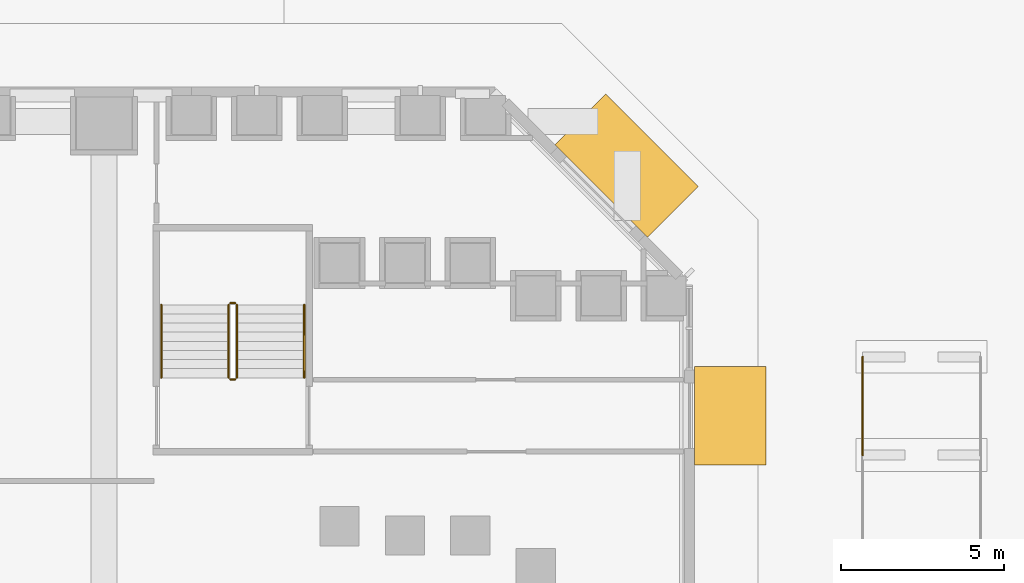
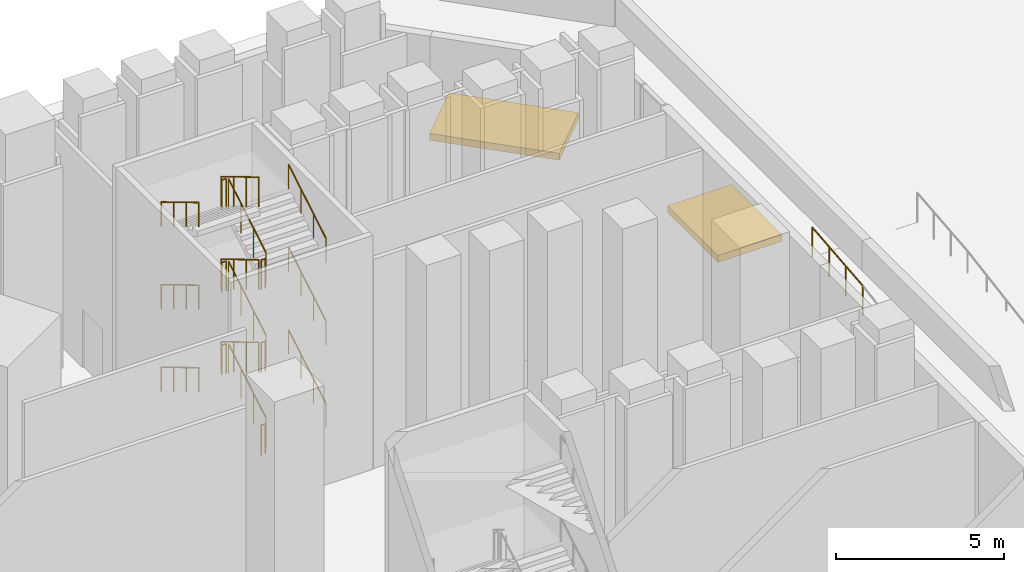
# One storey, part 50 of 51: 19 railings, 2 shading devices.
"""IFC4 building model written with IfcOpenShell, lengths in metres."""

from ifc_helpers import new_model, si_unit, direction, frame, origin, origin_2d, place, context, subcontext, project, spatial, rectangle, circle, extrude, material, layer, layer_set, type_object, element, save


model = new_model("IFC4")

# Units and contexts
model_context = context("Model", 3, precision=1e-05, world=origin(), true_north=direction((0.0, 1.0)))
body_context = subcontext(model_context, "Body", "Model", "MODEL_VIEW")
ifc_project = project(units=[si_unit("LENGTHUNIT", "METRE"), si_unit("AREAUNIT", "SQUARE_METRE"), si_unit("VOLUMEUNIT", "CUBIC_METRE"), si_unit("PLANEANGLEUNIT", "RADIAN"), si_unit("MASSUNIT", "GRAM", prefix="KILO")], contexts=[model_context])

# Site, building, storey
site_placement = place(None, origin())
site = spatial("IfcSite", under=ifc_project, at=site_placement, CompositionType="ELEMENT")
building_placement = place(site_placement, origin())
building = spatial("IfcBuilding", under=site, at=building_placement, Name="Calabash Gate Tower", CompositionType="ELEMENT")
storey_placement = place(building_placement, origin())
storey = spatial("IfcBuildingStorey", under=building, at=storey_placement, Name="L00", CompositionType="ELEMENT", Elevation=0.0)

# Shading devices
ifc_material_1 = material(Name="Steel framed canopy with laminated glass", Category="steel")
ifc_layer = layer(ifc_material_1, 0.25)
ifc_layer_set = layer_set([ifc_layer], Name="Entrance canopy 250")
shading_device_type = type_object("IfcShadingDeviceType", Name="Entrance canopy 250", PredefinedType="AWNING", material=ifc_layer_set)
shading_device_1_placement = place(storey_placement, frame((51.14990234375, 15.0, 3.60009765625), z_axis=(0.0, 0.0, 1.0), x_axis=(0.0, 1.0, 0.0)))
element("IfcShadingDevice", 1, at=shading_device_1_placement, inside=storey, type_object=shading_device_type, Name="Entrance canopy 15", PredefinedType="AWNING", context=body_context, shape_type="SweptSolid", body=[
    extrude(rectangle(XDim=3.0, YDim=2.199951171875, at=origin_2d()), origin(), (0.0, 0.0, 1.0), 0.25),
])
shading_device_2_placement = place(storey_placement, frame((47.982177734375, 22.644287109375, 3.60009765625), z_axis=(0.0, 0.0, 1.0), x_axis=(-0.707106781187, 0.707106781187, 0.0)))
element("IfcShadingDevice", 2, at=shading_device_2_placement, inside=storey, type_object=shading_device_type, Name="Entrance canopy 16", PredefinedType="AWNING", context=body_context, shape_type="SweptSolid", body=[
    extrude(rectangle(XDim=4.0, YDim=2.199951171875, at=origin_2d()), origin(), (0.0, 0.0, 1.0), 0.25),
])

# Railings
ifc_material_2 = material(Name="Galvanised steel balusters", Category="steel")
railing_type_1 = type_object("IfcRailingType", Name="Ramp guard RG1100", PredefinedType="GUARDRAIL", material=ifc_material_2)
railing_1_placement = place(storey_placement, frame((55.199951171875, 13.800048828125, -0.300048828125)))
element("IfcRailing", 3, at=railing_1_placement, inside=storey, type_object=railing_type_1, Name="Entry Ramp guard", PredefinedType="GUARDRAIL", context=body_context, shape_type="SweptSolid", body=[
    extrude(circle(Radius=0.02392578125, at=origin_2d()), frame((0.0, 0.0, 1.076171875), z_axis=(0.0, 0.995035586592, 0.0995197539), x_axis=(-1.0, 0.0, 0.0)), (0.0, 0.0, 1.0), 3.014892578125),
    extrude(circle(Radius=0.02099609375, at=origin_2d()), origin(), (0.0, 0.0, 1.0), 1.052001953125),
    extrude(circle(Radius=0.02099609375, at=origin_2d()), frame((0.0, 1.0, 0.10009765625)), (0.0, 0.0, 1.0), 1.052001953125),
    extrude(circle(Radius=0.02099609375, at=origin_2d()), frame((0.0, 2.0, 0.199951171875)), (0.0, 0.0, 1.0), 1.052001953125),
    extrude(circle(Radius=0.02099609375, at=origin_2d()), frame((0.0, 3.0, 0.300048828125)), (0.0, 0.0, 1.0), 1.052001953125),
])
ifc_material_3 = material(Name="Black powder-coated steel balusters", Category="steel")
railing_type_2 = type_object("IfcRailingType", Name="Stair guard RL1100", PredefinedType="GUARDRAIL", material=ifc_material_3)
railing_2_placement = place(storey_placement, frame((36.06005859375, 16.159912109375, 0.166748046875)))
element("IfcRailing", 4, at=railing_2_placement, inside=storey, type_object=railing_type_2, Name="L00 PS10 stair guard 1", PredefinedType="GUARDRAIL", context=body_context, shape_type="SweptSolid", body=[
    extrude(circle(Radius=0.02392578125, at=origin_2d()), frame((0.0, 0.0, 1.076171875), z_axis=(0.0, 0.8585185817, 0.512782453753), x_axis=(-1.0, 0.0, 0.0)), (0.0, 0.0, 1.0), 2.60009765625),
    extrude(circle(Radius=0.02099609375, at=origin_2d()), origin(), (0.0, 0.0, 1.0), 1.052001953125),
    extrude(circle(Radius=0.02099609375, at=origin_2d()), frame((0.0, 0.744140625, 0.4443359375)), (0.0, 0.0, 1.0), 1.052001953125),
    extrude(circle(Radius=0.02099609375, at=origin_2d()), frame((0.0, 1.488037109375, 0.888916015625)), (0.0, 0.0, 1.0), 1.052001953125),
    extrude(circle(Radius=0.02099609375, at=origin_2d()), frame((0.0, 2.232177734375, 1.333251953125)), (0.0, 0.0, 1.0), 1.052001953125),
])
railing_3_placement = place(storey_placement, frame((36.010009765625, 18.44189453125, 1.5)))
element("IfcRailing", 5, at=railing_3_placement, inside=storey, type_object=railing_type_2, Name="L00 PS10 stair guard 2", PredefinedType="GUARDRAIL", context=body_context, shape_type="SweptSolid", body=[
    extrude(circle(Radius=0.02392578125, at=origin_2d()), frame((0.0, 0.0, 1.076171875), z_axis=(-1.0, 0.0, 0.0), x_axis=(0.0, -1.0, 0.0)), (0.0, 0.0, 1.0), 0.14990234375),
    extrude(circle(Radius=0.02099609375, at=origin_2d()), origin(), (0.0, 0.0, 1.0), 1.052001953125),
    extrude(circle(Radius=0.02099609375, at=origin_2d()), frame((-0.14990234375, 0.0, 0.0)), (0.0, 0.0, 1.0), 1.052001953125),
])
railing_4_placement = place(storey_placement, frame((35.81005859375, 18.39208984375, 1.666748046875)))
element("IfcRailing", 6, at=railing_4_placement, inside=storey, type_object=railing_type_2, Name="L00 PS10 stair guard 3", PredefinedType="GUARDRAIL", context=body_context, shape_type="SweptSolid", body=[
    extrude(circle(Radius=0.02392578125, at=origin_2d()), frame((0.0, 0.0, 1.076171875), z_axis=(0.0, -0.8585185817, 0.512782453753), x_axis=(1.0, 0.0, 0.0)), (0.0, 0.0, 1.0), 2.60009765625),
    extrude(circle(Radius=0.02099609375, at=origin_2d()), origin(), (0.0, 0.0, 1.0), 1.052001953125),
    extrude(circle(Radius=0.02099609375, at=origin_2d()), frame((0.0, -0.744140625, 0.4443359375)), (0.0, 0.0, 1.0), 1.052001953125),
    extrude(circle(Radius=0.02099609375, at=origin_2d()), frame((0.0, -1.488037109375, 0.888916015625)), (0.0, 0.0, 1.0), 1.052001953125),
    extrude(circle(Radius=0.02099609375, at=origin_2d()), frame((0.0, -2.232177734375, 1.333251953125)), (0.0, 0.0, 1.0), 1.052001953125),
])
railing_5_placement = place(storey_placement, frame((36.010009765625, 16.110107421875, 3.0)))
element("IfcRailing", 7, at=railing_5_placement, inside=storey, type_object=railing_type_2, Name="L00 PS10 stair guard 4", PredefinedType="GUARDRAIL", context=body_context, shape_type="SweptSolid", body=[
    extrude(circle(Radius=0.02392578125, at=origin_2d()), frame((0.0, 0.0, 1.076171875), z_axis=(-1.0, 0.0, 0.0), x_axis=(0.0, -1.0, 0.0)), (0.0, 0.0, 1.0), 0.14990234375),
    extrude(circle(Radius=0.02099609375, at=origin_2d()), origin(), (0.0, 0.0, 1.0), 1.052001953125),
    extrude(circle(Radius=0.02099609375, at=origin_2d()), frame((-0.14990234375, 0.0, 0.0)), (0.0, 0.0, 1.0), 1.052001953125),
])
railing_6_placement = place(storey_placement, frame((36.06005859375, 16.159912109375, 3.166748046875)))
element("IfcRailing", 8, at=railing_6_placement, inside=storey, type_object=railing_type_2, Name="L00 PS10 stair guard 5", PredefinedType="GUARDRAIL", context=body_context, shape_type="SweptSolid", body=[
    extrude(circle(Radius=0.02392578125, at=origin_2d()), frame((0.0, 0.0, 1.076171875), z_axis=(0.0, 0.8585185817, 0.512782453753), x_axis=(-1.0, 0.0, 0.0)), (0.0, 0.0, 1.0), 2.60009765625),
    extrude(circle(Radius=0.02099609375, at=origin_2d()), origin(), (0.0, 0.0, 1.0), 1.052001953125),
    extrude(circle(Radius=0.02099609375, at=origin_2d()), frame((0.0, 0.744140625, 0.4443359375)), (0.0, 0.0, 1.0), 1.052001953125),
    extrude(circle(Radius=0.02099609375, at=origin_2d()), frame((0.0, 1.488037109375, 0.888916015625)), (0.0, 0.0, 1.0), 1.052001953125),
    extrude(circle(Radius=0.02099609375, at=origin_2d()), frame((0.0, 2.232177734375, 1.333251953125)), (0.0, 0.0, 1.0), 1.052001953125),
])
railing_7_placement = place(storey_placement, frame((36.010009765625, 18.44189453125, 4.5)))
element("IfcRailing", 9, at=railing_7_placement, inside=storey, type_object=railing_type_2, Name="L00 PS10 stair guard 6", PredefinedType="GUARDRAIL", context=body_context, shape_type="SweptSolid", body=[
    extrude(circle(Radius=0.02392578125, at=origin_2d()), frame((0.0, 0.0, 1.076171875), z_axis=(-1.0, 0.0, 0.0), x_axis=(0.0, -1.0, 0.0)), (0.0, 0.0, 1.0), 0.14990234375),
    extrude(circle(Radius=0.02099609375, at=origin_2d()), origin(), (0.0, 0.0, 1.0), 1.052001953125),
    extrude(circle(Radius=0.02099609375, at=origin_2d()), frame((-0.14990234375, 0.0, 0.0)), (0.0, 0.0, 1.0), 1.052001953125),
])
railing_8_placement = place(storey_placement, frame((35.81005859375, 18.39208984375, 4.666748046875)))
element("IfcRailing", 10, at=railing_8_placement, inside=storey, type_object=railing_type_2, Name="L00 PS10 stair guard 7", PredefinedType="GUARDRAIL", context=body_context, shape_type="SweptSolid", body=[
    extrude(circle(Radius=0.02392578125, at=origin_2d()), frame((0.0, 0.0, 1.076171875), z_axis=(0.0, -0.8585185817, 0.512782453753), x_axis=(1.0, 0.0, 0.0)), (0.0, 0.0, 1.0), 2.60009765625),
    extrude(circle(Radius=0.02099609375, at=origin_2d()), origin(), (0.0, 0.0, 1.0), 1.052001953125),
    extrude(circle(Radius=0.02099609375, at=origin_2d()), frame((0.0, -0.744140625, 0.4443359375)), (0.0, 0.0, 1.0), 1.052001953125),
    extrude(circle(Radius=0.02099609375, at=origin_2d()), frame((0.0, -1.488037109375, 0.888916015625)), (0.0, 0.0, 1.0), 1.052001953125),
    extrude(circle(Radius=0.02099609375, at=origin_2d()), frame((0.0, -2.232177734375, 1.333251953125)), (0.0, 0.0, 1.0), 1.052001953125),
])
railing_9_placement = place(storey_placement, frame((36.010009765625, 16.110107421875, 6.0)))
element("IfcRailing", 11, at=railing_9_placement, inside=storey, type_object=railing_type_2, Name="L00 PS10 stair guard 8", PredefinedType="GUARDRAIL", context=body_context, shape_type="SweptSolid", body=[
    extrude(circle(Radius=0.02392578125, at=origin_2d()), frame((0.0, 0.0, 1.076171875), z_axis=(-1.0, 0.0, 0.0), x_axis=(0.0, -1.0, 0.0)), (0.0, 0.0, 1.0), 0.14990234375),
    extrude(circle(Radius=0.02099609375, at=origin_2d()), origin(), (0.0, 0.0, 1.0), 1.052001953125),
    extrude(circle(Radius=0.02099609375, at=origin_2d()), frame((-0.14990234375, 0.0, 0.0)), (0.0, 0.0, 1.0), 1.052001953125),
])
railing_10_placement = place(storey_placement, frame((36.06005859375, 16.159912109375, 6.166748046875)))
element("IfcRailing", 12, at=railing_10_placement, inside=storey, type_object=railing_type_2, Name="L00 PS10 stair guard 9", PredefinedType="GUARDRAIL", context=body_context, shape_type="SweptSolid", body=[
    extrude(circle(Radius=0.02392578125, at=origin_2d()), frame((0.0, 0.0, 1.076171875), z_axis=(0.0, 0.8585185817, 0.512782453753), x_axis=(-1.0, 0.0, 0.0)), (0.0, 0.0, 1.0), 2.60009765625),
    extrude(circle(Radius=0.02099609375, at=origin_2d()), origin(), (0.0, 0.0, 1.0), 1.052001953125),
    extrude(circle(Radius=0.02099609375, at=origin_2d()), frame((0.0, 0.744140625, 0.4443359375)), (0.0, 0.0, 1.0), 1.052001953125),
    extrude(circle(Radius=0.02099609375, at=origin_2d()), frame((0.0, 1.488037109375, 0.888916015625)), (0.0, 0.0, 1.0), 1.052001953125),
    extrude(circle(Radius=0.02099609375, at=origin_2d()), frame((0.0, 2.232177734375, 1.333251953125)), (0.0, 0.0, 1.0), 1.052001953125),
])
railing_11_placement = place(storey_placement, frame((36.010009765625, 18.44189453125, 7.5)))
element("IfcRailing", 13, at=railing_11_placement, inside=storey, type_object=railing_type_2, Name="L00 PS10 stair guard 10", PredefinedType="GUARDRAIL", context=body_context, shape_type="SweptSolid", body=[
    extrude(circle(Radius=0.02392578125, at=origin_2d()), frame((0.0, 0.0, 1.076171875), z_axis=(-1.0, 0.0, 0.0), x_axis=(0.0, -1.0, 0.0)), (0.0, 0.0, 1.0), 0.14990234375),
    extrude(circle(Radius=0.02099609375, at=origin_2d()), origin(), (0.0, 0.0, 1.0), 1.052001953125),
    extrude(circle(Radius=0.02099609375, at=origin_2d()), frame((-0.14990234375, 0.0, 0.0)), (0.0, 0.0, 1.0), 1.052001953125),
])
railing_12_placement = place(storey_placement, frame((35.81005859375, 18.39208984375, 7.666748046875)))
element("IfcRailing", 14, at=railing_12_placement, inside=storey, type_object=railing_type_2, Name="L00 PS10 stair guard 11", PredefinedType="GUARDRAIL", context=body_context, shape_type="SweptSolid", body=[
    extrude(circle(Radius=0.02392578125, at=origin_2d()), frame((0.0, 0.0, 1.076171875), z_axis=(0.0, -0.8585185817, 0.512782453753), x_axis=(1.0, 0.0, 0.0)), (0.0, 0.0, 1.0), 2.60009765625),
    extrude(circle(Radius=0.02099609375, at=origin_2d()), origin(), (0.0, 0.0, 1.0), 1.052001953125),
    extrude(circle(Radius=0.02099609375, at=origin_2d()), frame((0.0, -0.744140625, 0.4443359375)), (0.0, 0.0, 1.0), 1.052001953125),
    extrude(circle(Radius=0.02099609375, at=origin_2d()), frame((0.0, -1.488037109375, 0.888916015625)), (0.0, 0.0, 1.0), 1.052001953125),
    extrude(circle(Radius=0.02099609375, at=origin_2d()), frame((0.0, -2.232177734375, 1.333251953125)), (0.0, 0.0, 1.0), 1.052001953125),
])
railing_13_placement = place(storey_placement, frame((36.010009765625, 16.110107421875, 0.0)))
element("IfcRailing", 15, at=railing_13_placement, inside=storey, type_object=railing_type_2, Name="L00 PS10 stair guard 12", PredefinedType="GUARDRAIL", context=body_context, shape_type="SweptSolid", body=[
    extrude(circle(Radius=0.02392578125, at=origin_2d()), frame((0.0, 0.0, 1.076171875), z_axis=(-1.0, 0.0, 0.0), x_axis=(0.0, -1.0, 0.0)), (0.0, 0.0, 1.0), 0.14990234375),
    extrude(circle(Radius=0.02099609375, at=origin_2d()), origin(), (0.0, 0.0, 1.0), 1.052001953125),
    extrude(circle(Radius=0.02099609375, at=origin_2d()), frame((-0.14990234375, 0.0, 0.0)), (0.0, 0.0, 1.0), 1.052001953125),
])
ifc_material_4 = material(Name="Black powder-coated steel tube 48 mm", Category="steel")
railing_type_3 = type_object("IfcRailingType", Name="Stair handrail RL900", PredefinedType="HANDRAIL", material=ifc_material_4)
railing_14_placement = place(storey_placement, frame((38.1201171875, 16.159912109375, 0.166748046875)))
element("IfcRailing", 16, at=railing_14_placement, inside=storey, type_object=railing_type_3, Name="L00 PS10 stair handrail 1", PredefinedType="HANDRAIL", context=body_context, shape_type="SweptSolid", body=[
    extrude(circle(Radius=0.02392578125, at=origin_2d()), frame((0.0, 0.0, 0.8759765625), z_axis=(0.0, 0.8585185817, 0.512782453753), x_axis=(-1.0, 0.0, 0.0)), (0.0, 0.0, 1.0), 2.60009765625),
    extrude(circle(Radius=0.02099609375, at=origin_2d()), origin(), (0.0, 0.0, 1.0), 0.851806640625),
    extrude(circle(Radius=0.02099609375, at=origin_2d()), frame((0.0, 0.744140625, 0.4443359375)), (0.0, 0.0, 1.0), 0.851806640625),
    extrude(circle(Radius=0.02099609375, at=origin_2d()), frame((0.0, 1.488037109375, 0.888916015625)), (0.0, 0.0, 1.0), 0.851806640625),
    extrude(circle(Radius=0.02099609375, at=origin_2d()), frame((0.0, 2.232177734375, 1.333251953125)), (0.0, 0.0, 1.0), 0.851806640625),
])
railing_15_placement = place(storey_placement, frame((33.75, 18.39208984375, 1.666748046875)))
element("IfcRailing", 17, at=railing_15_placement, inside=storey, type_object=railing_type_3, Name="L00 PS10 stair handrail 2", PredefinedType="HANDRAIL", context=body_context, shape_type="SweptSolid", body=[
    extrude(circle(Radius=0.02392578125, at=origin_2d()), frame((0.0, 0.0, 0.8759765625), z_axis=(0.0, -0.8585185817, 0.512782453753), x_axis=(1.0, 0.0, 0.0)), (0.0, 0.0, 1.0), 2.60009765625),
    extrude(circle(Radius=0.02099609375, at=origin_2d()), origin(), (0.0, 0.0, 1.0), 0.851806640625),
    extrude(circle(Radius=0.02099609375, at=origin_2d()), frame((0.0, -0.744140625, 0.4443359375)), (0.0, 0.0, 1.0), 0.851806640625),
    extrude(circle(Radius=0.02099609375, at=origin_2d()), frame((0.0, -1.488037109375, 0.888916015625)), (0.0, 0.0, 1.0), 0.851806640625),
    extrude(circle(Radius=0.02099609375, at=origin_2d()), frame((0.0, -2.232177734375, 1.333251953125)), (0.0, 0.0, 1.0), 0.851806640625),
])
railing_16_placement = place(storey_placement, frame((38.1201171875, 16.159912109375, 3.166748046875)))
element("IfcRailing", 18, at=railing_16_placement, inside=storey, type_object=railing_type_3, Name="L00 PS10 stair handrail 3", PredefinedType="HANDRAIL", context=body_context, shape_type="SweptSolid", body=[
    extrude(circle(Radius=0.02392578125, at=origin_2d()), frame((0.0, 0.0, 0.8759765625), z_axis=(0.0, 0.8585185817, 0.512782453753), x_axis=(-1.0, 0.0, 0.0)), (0.0, 0.0, 1.0), 2.60009765625),
    extrude(circle(Radius=0.02099609375, at=origin_2d()), origin(), (0.0, 0.0, 1.0), 0.851806640625),
    extrude(circle(Radius=0.02099609375, at=origin_2d()), frame((0.0, 0.744140625, 0.4443359375)), (0.0, 0.0, 1.0), 0.851806640625),
    extrude(circle(Radius=0.02099609375, at=origin_2d()), frame((0.0, 1.488037109375, 0.888916015625)), (0.0, 0.0, 1.0), 0.851806640625),
    extrude(circle(Radius=0.02099609375, at=origin_2d()), frame((0.0, 2.232177734375, 1.333251953125)), (0.0, 0.0, 1.0), 0.851806640625),
])
railing_17_placement = place(storey_placement, frame((33.75, 18.39208984375, 4.666748046875)))
element("IfcRailing", 19, at=railing_17_placement, inside=storey, type_object=railing_type_3, Name="L00 PS10 stair handrail 4", PredefinedType="HANDRAIL", context=body_context, shape_type="SweptSolid", body=[
    extrude(circle(Radius=0.02392578125, at=origin_2d()), frame((0.0, 0.0, 0.8759765625), z_axis=(0.0, -0.8585185817, 0.512782453753), x_axis=(1.0, 0.0, 0.0)), (0.0, 0.0, 1.0), 2.60009765625),
    extrude(circle(Radius=0.02099609375, at=origin_2d()), origin(), (0.0, 0.0, 1.0), 0.851806640625),
    extrude(circle(Radius=0.02099609375, at=origin_2d()), frame((0.0, -0.744140625, 0.4443359375)), (0.0, 0.0, 1.0), 0.851806640625),
    extrude(circle(Radius=0.02099609375, at=origin_2d()), frame((0.0, -1.488037109375, 0.888916015625)), (0.0, 0.0, 1.0), 0.851806640625),
    extrude(circle(Radius=0.02099609375, at=origin_2d()), frame((0.0, -2.232177734375, 1.333251953125)), (0.0, 0.0, 1.0), 0.851806640625),
])
railing_18_placement = place(storey_placement, frame((38.1201171875, 16.159912109375, 6.166748046875)))
element("IfcRailing", 20, at=railing_18_placement, inside=storey, type_object=railing_type_3, Name="L00 PS10 stair handrail 5", PredefinedType="HANDRAIL", context=body_context, shape_type="SweptSolid", body=[
    extrude(circle(Radius=0.02392578125, at=origin_2d()), frame((0.0, 0.0, 0.8759765625), z_axis=(0.0, 0.8585185817, 0.512782453753), x_axis=(-1.0, 0.0, 0.0)), (0.0, 0.0, 1.0), 2.60009765625),
    extrude(circle(Radius=0.02099609375, at=origin_2d()), origin(), (0.0, 0.0, 1.0), 0.851806640625),
    extrude(circle(Radius=0.02099609375, at=origin_2d()), frame((0.0, 0.744140625, 0.4443359375)), (0.0, 0.0, 1.0), 0.851806640625),
    extrude(circle(Radius=0.02099609375, at=origin_2d()), frame((0.0, 1.488037109375, 0.888916015625)), (0.0, 0.0, 1.0), 0.851806640625),
    extrude(circle(Radius=0.02099609375, at=origin_2d()), frame((0.0, 2.232177734375, 1.333251953125)), (0.0, 0.0, 1.0), 0.851806640625),
])
railing_19_placement = place(storey_placement, frame((33.75, 18.39208984375, 7.666748046875)))
element("IfcRailing", 21, at=railing_19_placement, inside=storey, type_object=railing_type_3, Name="L00 PS10 stair handrail 6", PredefinedType="HANDRAIL", context=body_context, shape_type="SweptSolid", body=[
    extrude(circle(Radius=0.02392578125, at=origin_2d()), frame((0.0, 0.0, 0.8759765625), z_axis=(0.0, -0.8585185817, 0.512782453753), x_axis=(1.0, 0.0, 0.0)), (0.0, 0.0, 1.0), 2.60009765625),
    extrude(circle(Radius=0.02099609375, at=origin_2d()), origin(), (0.0, 0.0, 1.0), 0.851806640625),
    extrude(circle(Radius=0.02099609375, at=origin_2d()), frame((0.0, -0.744140625, 0.4443359375)), (0.0, 0.0, 1.0), 0.851806640625),
    extrude(circle(Radius=0.02099609375, at=origin_2d()), frame((0.0, -1.488037109375, 0.888916015625)), (0.0, 0.0, 1.0), 0.851806640625),
    extrude(circle(Radius=0.02099609375, at=origin_2d()), frame((0.0, -2.232177734375, 1.333251953125)), (0.0, 0.0, 1.0), 0.851806640625),
])

save(model, "model.ifc")
